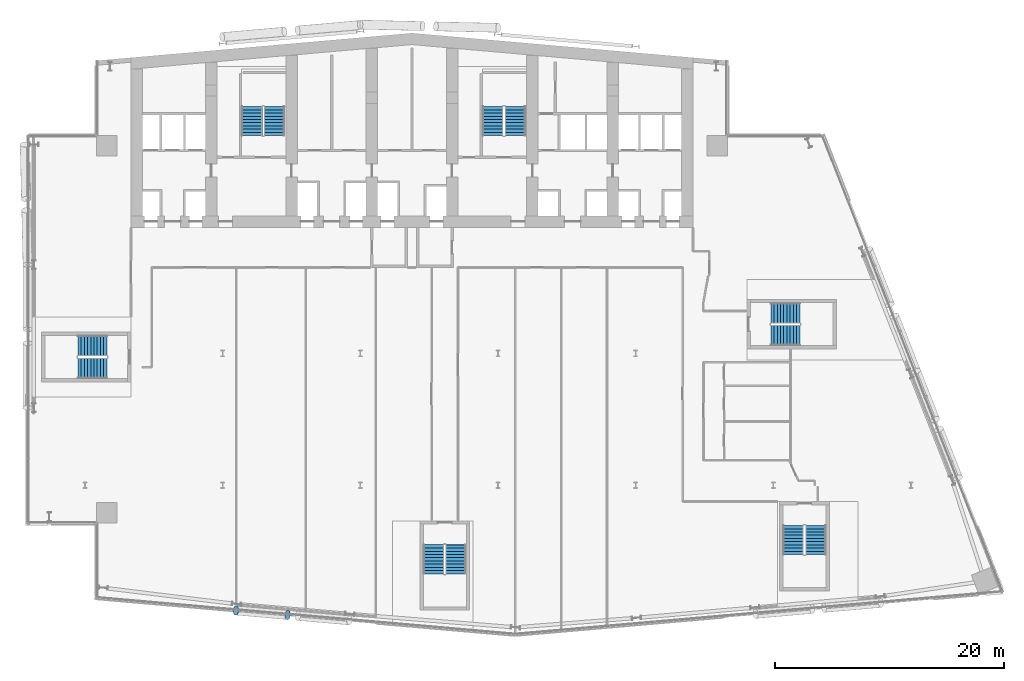
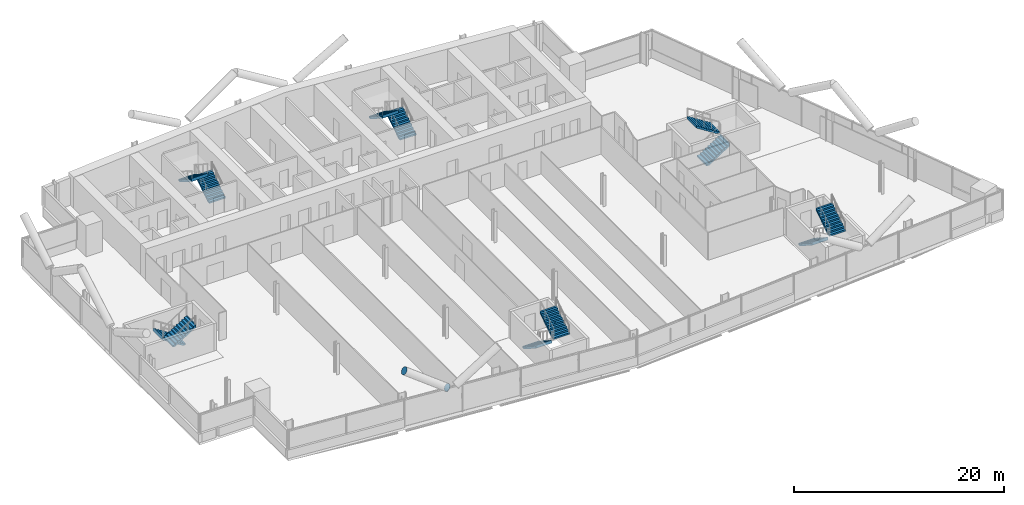
# One storey, part 19 of 26: 12 stair flights, 2 discrete accessories, 6 elements without a shape of their own.
"""IFC4 building model written with IfcOpenShell, lengths in metres."""

from ifc_helpers import new_model, si_unit, direction, frame, origin, origin_2d, place, context, subcontext, project, spatial, polyline, circle, outline, extrude, material, material_profile, profile_set, type_object, element, aggregate, save


model = new_model("IFC4")

# Units and contexts
model_context = context("Model", 3, precision=1e-05, world=origin(), true_north=direction((0.0, 1.0)))
body_context = subcontext(model_context, "Body", "Model", "MODEL_VIEW")
ifc_project = project(units=[si_unit("LENGTHUNIT", "METRE"), si_unit("AREAUNIT", "SQUARE_METRE"), si_unit("VOLUMEUNIT", "CUBIC_METRE"), si_unit("PLANEANGLEUNIT", "RADIAN"), si_unit("MASSUNIT", "GRAM", prefix="KILO")], contexts=[model_context])

# Site, building, storey
site_placement = place(None, origin())
site = spatial("IfcSite", under=ifc_project, at=site_placement, CompositionType="ELEMENT")
building_placement = place(site_placement, origin())
building = spatial("IfcBuilding", under=site, at=building_placement, Name="Wharfspan Tower", CompositionType="ELEMENT")
storey_placement = place(building_placement, frame((0.0, 0.0, 125.5)))
storey = spatial("IfcBuildingStorey", under=building, at=storey_placement, Name="L29", CompositionType="ELEMENT", Elevation=125.5)

# Stair, stair flights
ifc_material_1 = material(Name="Concrete C40/50", Category="concrete")
stair_type = type_object("IfcStairType", Name="Half-turn stair 20 risers 180 mm", PredefinedType="HALF_TURN_STAIR", material=ifc_material_1)
stair_1_placement = place(storey_placement, origin())
stair_1 = element("IfcStair", 1, at=stair_1_placement, inside=storey, type_object=stair_type, Name="L29 stair ST1", PredefinedType="HALF_TURN_STAIR")
stair_flight_type = type_object("IfcStairFlightType", Name="Stair flight 20 risers 180 mm", PredefinedType="STRAIGHT", material=ifc_material_1)
stair_flight_1_placement = place(storey_placement, frame((28.5, 42.0, 0.0), z_axis=(0.0, 0.0, 1.0), x_axis=(0.0, 1.0, 0.0)))
stair_flight_1 = element("IfcStairFlight", 2, at=stair_flight_1_placement, type_object=stair_flight_type, Name="ST1 flight 1", NumberOfRisers=10, NumberOfTreads=9, PredefinedType="STRAIGHT", RiserHeight=0.18, TreadLength=0.28, context=body_context, shape_type="SweptSolid", body=[
    extrude(outline(polyline([(-0.011963, 0.0), (-0.011963, 0.179932), (0.0, 0.179932), (0.280029, 0.179932), (0.280029, 0.360107), (0.560059, 0.360107), (0.560059, 0.540039), (0.840088, 0.540039), (0.840088, 0.719971), (1.120117, 0.719971), (1.120117, 0.899902), (1.399902, 0.899902), (1.399902, 1.080078), (1.679932, 1.080078), (1.679932, 1.26001), (1.959961, 1.26001), (1.959961, 1.439941), (2.23999, 1.439941), (2.23999, 1.620117), (2.52002, 1.620117), (2.531982, 1.800049), (2.531982, 1.441895), (0.2771, 0.0), (-0.011963, 0.0)])), frame((0.0, 0.899902, 0.0), z_axis=(0.0, -1.0, 0.0), x_axis=(1.0, 0.0, 0.0)), (0.0, 0.0, 1.0), 0.899414),
    extrude(outline(polyline([(-0.011963, 0.0), (-0.011963, 0.179932), (0.0, 0.179932), (0.280029, 0.179932), (0.280029, 0.360107), (0.560059, 0.360107), (0.560059, 0.540039), (0.840088, 0.540039), (0.840088, 0.719971), (1.120117, 0.719971), (1.120117, 0.899902), (1.399902, 0.899902), (1.399902, 1.080078), (1.679932, 1.080078), (1.679932, 1.26001), (1.959961, 1.26001), (1.959961, 1.439941), (2.23999, 1.439941), (2.23999, 1.620117), (2.52002, 1.620117), (2.531982, 1.800049), (2.531982, 1.441895), (0.2771, 0.0), (-0.011963, 0.0)])), frame((0.0, -0.000488, 0.0), z_axis=(0.0, -1.0, 0.0), x_axis=(1.0, 0.0, 0.0)), (0.0, 0.0, 1.0), 0.899414),
])
stair_flight_2_placement = place(storey_placement, frame((26.550049, 44.52002, 1.800049), z_axis=(0.0, 0.0, 1.0), x_axis=(0.0, -1.0, 0.0)))
stair_flight_2 = element("IfcStairFlight", 3, at=stair_flight_2_placement, type_object=stair_flight_type, Name="ST1 flight 2", NumberOfRisers=10, NumberOfTreads=9, PredefinedType="STRAIGHT", RiserHeight=0.18, TreadLength=0.28, context=body_context, shape_type="SweptSolid", body=[
    extrude(outline(polyline([(-0.011963, 0.0), (-0.011963, 0.179932), (0.0, 0.179932), (0.280029, 0.179932), (0.280029, 0.360107), (0.560059, 0.360107), (0.560059, 0.540039), (0.840088, 0.540039), (0.840088, 0.719971), (1.120117, 0.719971), (1.120117, 0.899902), (1.399902, 0.899902), (1.399902, 1.080078), (1.679932, 1.080078), (1.679932, 1.26001), (1.959961, 1.26001), (1.959961, 1.439941), (2.23999, 1.439941), (2.23999, 1.620117), (2.52002, 1.620117), (2.531982, 1.800049), (2.531982, 1.441895), (0.2771, 0.0), (-0.011963, 0.0)])), frame((0.0, 0.899902, 0.0), z_axis=(0.0, -1.0, 0.0), x_axis=(1.0, 0.0, 0.0)), (0.0, 0.0, 1.0), 0.899414),
    extrude(outline(polyline([(-0.011963, 0.0), (-0.011963, 0.179932), (0.0, 0.179932), (0.280029, 0.179932), (0.280029, 0.360107), (0.560059, 0.360107), (0.560059, 0.540039), (0.840088, 0.540039), (0.840088, 0.719971), (1.120117, 0.719971), (1.120117, 0.899902), (1.399902, 0.899902), (1.399902, 1.080078), (1.679932, 1.080078), (1.679932, 1.26001), (1.959961, 1.26001), (1.959961, 1.439941), (2.23999, 1.439941), (2.23999, 1.620117), (2.52002, 1.620117), (2.531982, 1.800049), (2.531982, 1.441895), (0.2771, 0.0), (-0.011963, 0.0)])), frame((0.0, -0.000488, 0.0), z_axis=(0.0, -1.0, 0.0), x_axis=(1.0, 0.0, 0.0)), (0.0, 0.0, 1.0), 0.899414),
])
aggregate(stair_1, [stair_flight_1, stair_flight_2])

stair_2_placement = place(storey_placement, origin())
stair_2 = element("IfcStair", 4, at=stair_2_placement, inside=storey, type_object=stair_type, Name="L29 stair ST2", PredefinedType="HALF_TURN_STAIR")
stair_flight_3_placement = place(storey_placement, frame((49.5, 42.0, 0.0), z_axis=(0.0, 0.0, 1.0), x_axis=(0.0, 1.0, 0.0)))
stair_flight_3 = element("IfcStairFlight", 5, at=stair_flight_3_placement, type_object=stair_flight_type, Name="ST2 flight 1", NumberOfRisers=10, NumberOfTreads=9, PredefinedType="STRAIGHT", RiserHeight=0.18, TreadLength=0.28, context=body_context, shape_type="SweptSolid", body=[
    extrude(outline(polyline([(-0.011963, 0.0), (-0.011963, 0.179932), (0.0, 0.179932), (0.280029, 0.179932), (0.280029, 0.360107), (0.560059, 0.360107), (0.560059, 0.540039), (0.840088, 0.540039), (0.840088, 0.719971), (1.120117, 0.719971), (1.120117, 0.899902), (1.399902, 0.899902), (1.399902, 1.080078), (1.679932, 1.080078), (1.679932, 1.26001), (1.959961, 1.26001), (1.959961, 1.439941), (2.23999, 1.439941), (2.23999, 1.620117), (2.52002, 1.620117), (2.531982, 1.800049), (2.531982, 1.441895), (0.2771, 0.0), (-0.011963, 0.0)])), frame((0.0, 0.899902, 0.0), z_axis=(0.0, -1.0, 0.0), x_axis=(1.0, 0.0, 0.0)), (0.0, 0.0, 1.0), 0.899414),
    extrude(outline(polyline([(-0.011963, 0.0), (-0.011963, 0.179932), (0.0, 0.179932), (0.280029, 0.179932), (0.280029, 0.360107), (0.560059, 0.360107), (0.560059, 0.540039), (0.840088, 0.540039), (0.840088, 0.719971), (1.120117, 0.719971), (1.120117, 0.899902), (1.399902, 0.899902), (1.399902, 1.080078), (1.679932, 1.080078), (1.679932, 1.26001), (1.959961, 1.26001), (1.959961, 1.439941), (2.23999, 1.439941), (2.23999, 1.620117), (2.52002, 1.620117), (2.531982, 1.800049), (2.531982, 1.441895), (0.2771, 0.0), (-0.011963, 0.0)])), frame((0.0, -0.000488, 0.0), z_axis=(0.0, -1.0, 0.0), x_axis=(1.0, 0.0, 0.0)), (0.0, 0.0, 1.0), 0.899414),
])
stair_flight_4_placement = place(storey_placement, frame((47.550049, 44.52002, 1.800049), z_axis=(0.0, 0.0, 1.0), x_axis=(0.0, -1.0, 0.0)))
stair_flight_4 = element("IfcStairFlight", 6, at=stair_flight_4_placement, type_object=stair_flight_type, Name="ST2 flight 2", NumberOfRisers=10, NumberOfTreads=9, PredefinedType="STRAIGHT", RiserHeight=0.18, TreadLength=0.28, context=body_context, shape_type="SweptSolid", body=[
    extrude(outline(polyline([(-0.011963, 0.0), (-0.011963, 0.179932), (0.0, 0.179932), (0.280029, 0.179932), (0.280029, 0.360107), (0.560059, 0.360107), (0.560059, 0.540039), (0.840088, 0.540039), (0.840088, 0.719971), (1.120117, 0.719971), (1.120117, 0.899902), (1.399902, 0.899902), (1.399902, 1.080078), (1.679932, 1.080078), (1.679932, 1.26001), (1.959961, 1.26001), (1.959961, 1.439941), (2.23999, 1.439941), (2.23999, 1.620117), (2.52002, 1.620117), (2.531982, 1.800049), (2.531982, 1.441895), (0.2771, 0.0), (-0.011963, 0.0)])), frame((0.0, 0.899902, 0.0), z_axis=(0.0, -1.0, 0.0), x_axis=(1.0, 0.0, 0.0)), (0.0, 0.0, 1.0), 0.899414),
    extrude(outline(polyline([(-0.011963, 0.0), (-0.011963, 0.179932), (0.0, 0.179932), (0.280029, 0.179932), (0.280029, 0.360107), (0.560059, 0.360107), (0.560059, 0.540039), (0.840088, 0.540039), (0.840088, 0.719971), (1.120117, 0.719971), (1.120117, 0.899902), (1.399902, 0.899902), (1.399902, 1.080078), (1.679932, 1.080078), (1.679932, 1.26001), (1.959961, 1.26001), (1.959961, 1.439941), (2.23999, 1.439941), (2.23999, 1.620117), (2.52002, 1.620117), (2.531982, 1.800049), (2.531982, 1.441895), (0.2771, 0.0), (-0.011963, 0.0)])), frame((0.0, -0.000488, 0.0), z_axis=(0.0, -1.0, 0.0), x_axis=(1.0, 0.0, 0.0)), (0.0, 0.0, 1.0), 0.899414),
])
aggregate(stair_2, [stair_flight_3, stair_flight_4])

stair_3_placement = place(storey_placement, origin())
stair_3 = element("IfcStair", 7, at=stair_3_placement, inside=storey, type_object=stair_type, Name="L29 stair ST3", PredefinedType="HALF_TURN_STAIR")
stair_flight_5_placement = place(storey_placement, frame((13.899902, 23.675049, 0.0), z_axis=(0.0, 0.0, 1.0), x_axis=(-1.0, 0.0, 0.0)))
stair_flight_5 = element("IfcStairFlight", 8, at=stair_flight_5_placement, type_object=stair_flight_type, Name="ST3 flight 1", NumberOfRisers=10, NumberOfTreads=9, PredefinedType="STRAIGHT", RiserHeight=0.18, TreadLength=0.28, context=body_context, shape_type="SweptSolid", body=[
    extrude(outline(polyline([(-0.011963, 0.0), (-0.011963, 0.179932), (0.0, 0.179932), (0.280029, 0.179932), (0.280029, 0.360107), (0.560059, 0.360107), (0.560059, 0.540039), (0.840088, 0.540039), (0.840088, 0.719971), (1.120117, 0.719971), (1.120117, 0.899902), (1.399902, 0.899902), (1.399902, 1.080078), (1.679932, 1.080078), (1.679932, 1.26001), (1.959961, 1.26001), (1.959961, 1.439941), (2.23999, 1.439941), (2.23999, 1.620117), (2.52002, 1.620117), (2.531982, 1.800049), (2.531982, 1.441895), (0.2771, 0.0), (-0.011963, 0.0)])), frame((0.0, 0.899902, 0.0), z_axis=(0.0, -1.0, 0.0), x_axis=(1.0, 0.0, 0.0)), (0.0, 0.0, 1.0), 0.899414),
    extrude(outline(polyline([(-0.011963, 0.0), (-0.011963, 0.179932), (0.0, 0.179932), (0.280029, 0.179932), (0.280029, 0.360107), (0.560059, 0.360107), (0.560059, 0.540039), (0.840088, 0.540039), (0.840088, 0.719971), (1.120117, 0.719971), (1.120117, 0.899902), (1.399902, 0.899902), (1.399902, 1.080078), (1.679932, 1.080078), (1.679932, 1.26001), (1.959961, 1.26001), (1.959961, 1.439941), (2.23999, 1.439941), (2.23999, 1.620117), (2.52002, 1.620117), (2.531982, 1.800049), (2.531982, 1.441895), (0.2771, 0.0), (-0.011963, 0.0)])), frame((0.0, -0.000488, 0.0), z_axis=(0.0, -1.0, 0.0), x_axis=(1.0, 0.0, 0.0)), (0.0, 0.0, 1.0), 0.899414),
])
stair_flight_6_placement = place(storey_placement, frame((11.379883, 21.725098, 1.800049), z_axis=(0.0, 0.0, 1.0), x_axis=(1.0, 0.0, 0.0)))
stair_flight_6 = element("IfcStairFlight", 9, at=stair_flight_6_placement, type_object=stair_flight_type, Name="ST3 flight 2", NumberOfRisers=10, NumberOfTreads=9, PredefinedType="STRAIGHT", RiserHeight=0.18, TreadLength=0.28, context=body_context, shape_type="SweptSolid", body=[
    extrude(outline(polyline([(-0.011963, 0.0), (-0.011963, 0.179932), (0.0, 0.179932), (0.280029, 0.179932), (0.280029, 0.360107), (0.560059, 0.360107), (0.560059, 0.540039), (0.840088, 0.540039), (0.840088, 0.719971), (1.120117, 0.719971), (1.120117, 0.899902), (1.399902, 0.899902), (1.399902, 1.080078), (1.679932, 1.080078), (1.679932, 1.26001), (1.959961, 1.26001), (1.959961, 1.439941), (2.23999, 1.439941), (2.23999, 1.620117), (2.52002, 1.620117), (2.531982, 1.800049), (2.531982, 1.441895), (0.2771, 0.0), (-0.011963, 0.0)])), frame((0.0, 0.899902, 0.0), z_axis=(0.0, -1.0, 0.0), x_axis=(1.0, 0.0, 0.0)), (0.0, 0.0, 1.0), 0.899414),
    extrude(outline(polyline([(-0.011963, 0.0), (-0.011963, 0.179932), (0.0, 0.179932), (0.280029, 0.179932), (0.280029, 0.360107), (0.560059, 0.360107), (0.560059, 0.540039), (0.840088, 0.540039), (0.840088, 0.719971), (1.120117, 0.719971), (1.120117, 0.899902), (1.399902, 0.899902), (1.399902, 1.080078), (1.679932, 1.080078), (1.679932, 1.26001), (1.959961, 1.26001), (1.959961, 1.439941), (2.23999, 1.439941), (2.23999, 1.620117), (2.52002, 1.620117), (2.531982, 1.800049), (2.531982, 1.441895), (0.2771, 0.0), (-0.011963, 0.0)])), frame((0.0, -0.000488, 0.0), z_axis=(0.0, -1.0, 0.0), x_axis=(1.0, 0.0, 0.0)), (0.0, 0.0, 1.0), 0.899414),
])
aggregate(stair_3, [stair_flight_5, stair_flight_6])

stair_4_placement = place(storey_placement, origin())
stair_4 = element("IfcStair", 10, at=stair_4_placement, inside=storey, type_object=stair_type, Name="L29 stair ST4", PredefinedType="HALF_TURN_STAIR")
stair_flight_7_placement = place(storey_placement, frame((42.385254, 6.316895, 0.0), z_axis=(0.0, 0.0, 1.0), x_axis=(0.0, -1.0, 0.0)))
stair_flight_7 = element("IfcStairFlight", 11, at=stair_flight_7_placement, type_object=stair_flight_type, Name="ST4 flight 1", NumberOfRisers=10, NumberOfTreads=9, PredefinedType="STRAIGHT", RiserHeight=0.18, TreadLength=0.28, context=body_context, shape_type="SweptSolid", body=[
    extrude(outline(polyline([(-0.011963, 0.0), (-0.011963, 0.179932), (0.0, 0.179932), (0.280029, 0.179932), (0.280029, 0.360107), (0.560059, 0.360107), (0.560059, 0.540039), (0.840088, 0.540039), (0.840088, 0.719971), (1.120117, 0.719971), (1.120117, 0.899902), (1.399902, 0.899902), (1.399902, 1.080078), (1.679932, 1.080078), (1.679932, 1.26001), (1.959961, 1.26001), (1.959961, 1.439941), (2.23999, 1.439941), (2.23999, 1.620117), (2.52002, 1.620117), (2.531982, 1.800049), (2.531982, 1.441895), (0.2771, 0.0), (-0.011963, 0.0)])), frame((0.0, 0.899902, 0.0), z_axis=(0.0, -1.0, 0.0), x_axis=(1.0, 0.0, 0.0)), (0.0, 0.0, 1.0), 0.899414),
    extrude(outline(polyline([(-0.011963, 0.0), (-0.011963, 0.179932), (0.0, 0.179932), (0.280029, 0.179932), (0.280029, 0.360107), (0.560059, 0.360107), (0.560059, 0.540039), (0.840088, 0.540039), (0.840088, 0.719971), (1.120117, 0.719971), (1.120117, 0.899902), (1.399902, 0.899902), (1.399902, 1.080078), (1.679932, 1.080078), (1.679932, 1.26001), (1.959961, 1.26001), (1.959961, 1.439941), (2.23999, 1.439941), (2.23999, 1.620117), (2.52002, 1.620117), (2.531982, 1.800049), (2.531982, 1.441895), (0.2771, 0.0), (-0.011963, 0.0)])), frame((0.0, -0.000488, 0.0), z_axis=(0.0, -1.0, 0.0), x_axis=(1.0, 0.0, 0.0)), (0.0, 0.0, 1.0), 0.899414),
])
stair_flight_8_placement = place(storey_placement, frame((44.335205, 3.796875, 1.800049), z_axis=(0.0, 0.0, 1.0), x_axis=(0.0, 1.0, 0.0)))
stair_flight_8 = element("IfcStairFlight", 12, at=stair_flight_8_placement, type_object=stair_flight_type, Name="ST4 flight 2", NumberOfRisers=10, NumberOfTreads=9, PredefinedType="STRAIGHT", RiserHeight=0.18, TreadLength=0.28, context=body_context, shape_type="SweptSolid", body=[
    extrude(outline(polyline([(-0.011963, 0.0), (-0.011963, 0.179932), (0.0, 0.179932), (0.280029, 0.179932), (0.280029, 0.360107), (0.560059, 0.360107), (0.560059, 0.540039), (0.840088, 0.540039), (0.840088, 0.719971), (1.120117, 0.719971), (1.120117, 0.899902), (1.399902, 0.899902), (1.399902, 1.080078), (1.679932, 1.080078), (1.679932, 1.26001), (1.959961, 1.26001), (1.959961, 1.439941), (2.23999, 1.439941), (2.23999, 1.620117), (2.52002, 1.620117), (2.531982, 1.800049), (2.531982, 1.441895), (0.2771, 0.0), (-0.011963, 0.0)])), frame((0.0, 0.899902, 0.0), z_axis=(0.0, -1.0, 0.0), x_axis=(1.0, 0.0, 0.0)), (0.0, 0.0, 1.0), 0.899414),
    extrude(outline(polyline([(-0.011963, 0.0), (-0.011963, 0.179932), (0.0, 0.179932), (0.280029, 0.179932), (0.280029, 0.360107), (0.560059, 0.360107), (0.560059, 0.540039), (0.840088, 0.540039), (0.840088, 0.719971), (1.120117, 0.719971), (1.120117, 0.899902), (1.399902, 0.899902), (1.399902, 1.080078), (1.679932, 1.080078), (1.679932, 1.26001), (1.959961, 1.26001), (1.959961, 1.439941), (2.23999, 1.439941), (2.23999, 1.620117), (2.52002, 1.620117), (2.531982, 1.800049), (2.531982, 1.441895), (0.2771, 0.0), (-0.011963, 0.0)])), frame((0.0, -0.000488, 0.0), z_axis=(0.0, -1.0, 0.0), x_axis=(1.0, 0.0, 0.0)), (0.0, 0.0, 1.0), 0.899414),
])
aggregate(stair_4, [stair_flight_7, stair_flight_8])

stair_5_placement = place(storey_placement, origin())
stair_5 = element("IfcStair", 13, at=stair_5_placement, inside=storey, type_object=stair_type, Name="L29 stair ST5", PredefinedType="HALF_TURN_STAIR")
stair_flight_9_placement = place(storey_placement, frame((73.740967, 7.994629, 0.0), z_axis=(0.0, 0.0, 1.0), x_axis=(0.0, -1.0, 0.0)))
stair_flight_9 = element("IfcStairFlight", 14, at=stair_flight_9_placement, type_object=stair_flight_type, Name="ST5 flight 1", NumberOfRisers=10, NumberOfTreads=9, PredefinedType="STRAIGHT", RiserHeight=0.18, TreadLength=0.28, context=body_context, shape_type="SweptSolid", body=[
    extrude(outline(polyline([(-0.011963, 0.0), (-0.011963, 0.179932), (0.0, 0.179932), (0.280029, 0.179932), (0.280029, 0.360107), (0.560059, 0.360107), (0.560059, 0.540039), (0.840088, 0.540039), (0.840088, 0.719971), (1.120117, 0.719971), (1.120117, 0.899902), (1.399902, 0.899902), (1.399902, 1.080078), (1.679932, 1.080078), (1.679932, 1.26001), (1.959961, 1.26001), (1.959961, 1.439941), (2.23999, 1.439941), (2.23999, 1.620117), (2.52002, 1.620117), (2.531982, 1.800049), (2.531982, 1.441895), (0.2771, 0.0), (-0.011963, 0.0)])), frame((0.0, 0.899902, 0.0), z_axis=(0.0, -1.0, 0.0), x_axis=(1.0, 0.0, 0.0)), (0.0, 0.0, 1.0), 0.899414),
    extrude(outline(polyline([(-0.011963, 0.0), (-0.011963, 0.179932), (0.0, 0.179932), (0.280029, 0.179932), (0.280029, 0.360107), (0.560059, 0.360107), (0.560059, 0.540039), (0.840088, 0.540039), (0.840088, 0.719971), (1.120117, 0.719971), (1.120117, 0.899902), (1.399902, 0.899902), (1.399902, 1.080078), (1.679932, 1.080078), (1.679932, 1.26001), (1.959961, 1.26001), (1.959961, 1.439941), (2.23999, 1.439941), (2.23999, 1.620117), (2.52002, 1.620117), (2.531982, 1.800049), (2.531982, 1.441895), (0.2771, 0.0), (-0.011963, 0.0)])), frame((0.0, -0.000488, 0.0), z_axis=(0.0, -1.0, 0.0), x_axis=(1.0, 0.0, 0.0)), (0.0, 0.0, 1.0), 0.899414),
])
stair_flight_10_placement = place(storey_placement, frame((75.690918, 5.474609, 1.800049), z_axis=(0.0, 0.0, 1.0), x_axis=(0.0, 1.0, 0.0)))
stair_flight_10 = element("IfcStairFlight", 15, at=stair_flight_10_placement, type_object=stair_flight_type, Name="ST5 flight 2", NumberOfRisers=10, NumberOfTreads=9, PredefinedType="STRAIGHT", RiserHeight=0.18, TreadLength=0.28, context=body_context, shape_type="SweptSolid", body=[
    extrude(outline(polyline([(-0.011963, 0.0), (-0.011963, 0.179932), (0.0, 0.179932), (0.280029, 0.179932), (0.280029, 0.360107), (0.560059, 0.360107), (0.560059, 0.540039), (0.840088, 0.540039), (0.840088, 0.719971), (1.120117, 0.719971), (1.120117, 0.899902), (1.399902, 0.899902), (1.399902, 1.080078), (1.679932, 1.080078), (1.679932, 1.26001), (1.959961, 1.26001), (1.959961, 1.439941), (2.23999, 1.439941), (2.23999, 1.620117), (2.52002, 1.620117), (2.531982, 1.800049), (2.531982, 1.441895), (0.2771, 0.0), (-0.011963, 0.0)])), frame((0.0, 0.899902, 0.0), z_axis=(0.0, -1.0, 0.0), x_axis=(1.0, 0.0, 0.0)), (0.0, 0.0, 1.0), 0.899414),
    extrude(outline(polyline([(-0.011963, 0.0), (-0.011963, 0.179932), (0.0, 0.179932), (0.280029, 0.179932), (0.280029, 0.360107), (0.560059, 0.360107), (0.560059, 0.540039), (0.840088, 0.540039), (0.840088, 0.719971), (1.120117, 0.719971), (1.120117, 0.899902), (1.399902, 0.899902), (1.399902, 1.080078), (1.679932, 1.080078), (1.679932, 1.26001), (1.959961, 1.26001), (1.959961, 1.439941), (2.23999, 1.439941), (2.23999, 1.620117), (2.52002, 1.620117), (2.531982, 1.800049), (2.531982, 1.441895), (0.2771, 0.0), (-0.011963, 0.0)])), frame((0.0, -0.000488, 0.0), z_axis=(0.0, -1.0, 0.0), x_axis=(1.0, 0.0, 0.0)), (0.0, 0.0, 1.0), 0.899414),
])
aggregate(stair_5, [stair_flight_9, stair_flight_10])

stair_6_placement = place(storey_placement, origin())
stair_6 = element("IfcStair", 16, at=stair_6_placement, inside=storey, type_object=stair_type, Name="L29 stair ST6", PredefinedType="HALF_TURN_STAIR")
stair_flight_11_placement = place(storey_placement, frame((71.790283, 24.574951, 0.0), z_axis=(0.0, 0.0, 1.0), x_axis=(1.0, 0.0, 0.0)))
stair_flight_11 = element("IfcStairFlight", 17, at=stair_flight_11_placement, type_object=stair_flight_type, Name="ST6 flight 1", NumberOfRisers=10, NumberOfTreads=9, PredefinedType="STRAIGHT", RiserHeight=0.18, TreadLength=0.28, context=body_context, shape_type="SweptSolid", body=[
    extrude(outline(polyline([(-0.011963, 0.0), (-0.011963, 0.179932), (0.0, 0.179932), (0.280029, 0.179932), (0.280029, 0.360107), (0.560059, 0.360107), (0.560059, 0.540039), (0.840088, 0.540039), (0.840088, 0.719971), (1.120117, 0.719971), (1.120117, 0.899902), (1.399902, 0.899902), (1.399902, 1.080078), (1.679932, 1.080078), (1.679932, 1.26001), (1.959961, 1.26001), (1.959961, 1.439941), (2.23999, 1.439941), (2.23999, 1.620117), (2.52002, 1.620117), (2.531982, 1.800049), (2.531982, 1.441895), (0.2771, 0.0), (-0.011963, 0.0)])), frame((0.0, 0.899902, 0.0), z_axis=(0.0, -1.0, 0.0), x_axis=(1.0, 0.0, 0.0)), (0.0, 0.0, 1.0), 0.899414),
    extrude(outline(polyline([(-0.011963, 0.0), (-0.011963, 0.179932), (0.0, 0.179932), (0.280029, 0.179932), (0.280029, 0.360107), (0.560059, 0.360107), (0.560059, 0.540039), (0.840088, 0.540039), (0.840088, 0.719971), (1.120117, 0.719971), (1.120117, 0.899902), (1.399902, 0.899902), (1.399902, 1.080078), (1.679932, 1.080078), (1.679932, 1.26001), (1.959961, 1.26001), (1.959961, 1.439941), (2.23999, 1.439941), (2.23999, 1.620117), (2.52002, 1.620117), (2.531982, 1.800049), (2.531982, 1.441895), (0.2771, 0.0), (-0.011963, 0.0)])), frame((0.0, -0.000488, 0.0), z_axis=(0.0, -1.0, 0.0), x_axis=(1.0, 0.0, 0.0)), (0.0, 0.0, 1.0), 0.899414),
])
stair_flight_12_placement = place(storey_placement, frame((74.310303, 26.524902, 1.800049), z_axis=(0.0, 0.0, 1.0), x_axis=(-1.0, 0.0, 0.0)))
stair_flight_12 = element("IfcStairFlight", 18, at=stair_flight_12_placement, type_object=stair_flight_type, Name="ST6 flight 2", NumberOfRisers=10, NumberOfTreads=9, PredefinedType="STRAIGHT", RiserHeight=0.18, TreadLength=0.28, context=body_context, shape_type="SweptSolid", body=[
    extrude(outline(polyline([(-0.011963, 0.0), (-0.011963, 0.179932), (0.0, 0.179932), (0.280029, 0.179932), (0.280029, 0.360107), (0.560059, 0.360107), (0.560059, 0.540039), (0.840088, 0.540039), (0.840088, 0.719971), (1.120117, 0.719971), (1.120117, 0.899902), (1.399902, 0.899902), (1.399902, 1.080078), (1.679932, 1.080078), (1.679932, 1.26001), (1.959961, 1.26001), (1.959961, 1.439941), (2.23999, 1.439941), (2.23999, 1.620117), (2.52002, 1.620117), (2.531982, 1.800049), (2.531982, 1.441895), (0.2771, 0.0), (-0.011963, 0.0)])), frame((0.0, 0.899902, 0.0), z_axis=(0.0, -1.0, 0.0), x_axis=(1.0, 0.0, 0.0)), (0.0, 0.0, 1.0), 0.899414),
    extrude(outline(polyline([(-0.011963, 0.0), (-0.011963, 0.179932), (0.0, 0.179932), (0.280029, 0.179932), (0.280029, 0.360107), (0.560059, 0.360107), (0.560059, 0.540039), (0.840088, 0.540039), (0.840088, 0.719971), (1.120117, 0.719971), (1.120117, 0.899902), (1.399902, 0.899902), (1.399902, 1.080078), (1.679932, 1.080078), (1.679932, 1.26001), (1.959961, 1.26001), (1.959961, 1.439941), (2.23999, 1.439941), (2.23999, 1.620117), (2.52002, 1.620117), (2.531982, 1.800049), (2.531982, 1.441895), (0.2771, 0.0), (-0.011963, 0.0)])), frame((0.0, -0.000488, 0.0), z_axis=(0.0, -1.0, 0.0), x_axis=(1.0, 0.0, 0.0)), (0.0, 0.0, 1.0), 0.899414),
])
aggregate(stair_6, [stair_flight_11, stair_flight_12])

# Discrete accessories
ifc_material_2 = material(Name="Steel S460NH", Category="steel")
ifc_material_profile = material_profile(ifc_material_2, circle(Radius=0.406494, at=origin_2d()))
ifc_profile_set = profile_set([ifc_material_profile], Name="Steel S460NH")
discrete_accessory_type = type_object("IfcDiscreteAccessoryType", Name="End plate CHS 813x40", PredefinedType="BRACKET", material=ifc_profile_set)
for number, where, z_axis, x_axis, name in (
    (19, (29.662842, 0.202148, 3.220947), (-0.806559, 0.073324, 0.586588), (-0.090536, -0.99589, 0.0), "End plate CHS 813x40"),
    (20, (25.165283, 0.595703, 6.5), (-0.806559, 0.073324, 0.586588), (-0.090536, -0.99589, 0.0), "End plate CHS 813x40"),
):
    element("IfcDiscreteAccessory", number, at=place(storey_placement, frame(where, z_axis=z_axis, x_axis=x_axis)), inside=storey, type_object=discrete_accessory_type, Name=name, PredefinedType="BRACKET", context=body_context, shape_type="SweptSolid", body=[
        extrude(circle(Radius=0.406494, at=origin_2d()), origin(), (0.0, 0.0, 1.0), 0.01001),
    ])

save(model, "model.ifc")
